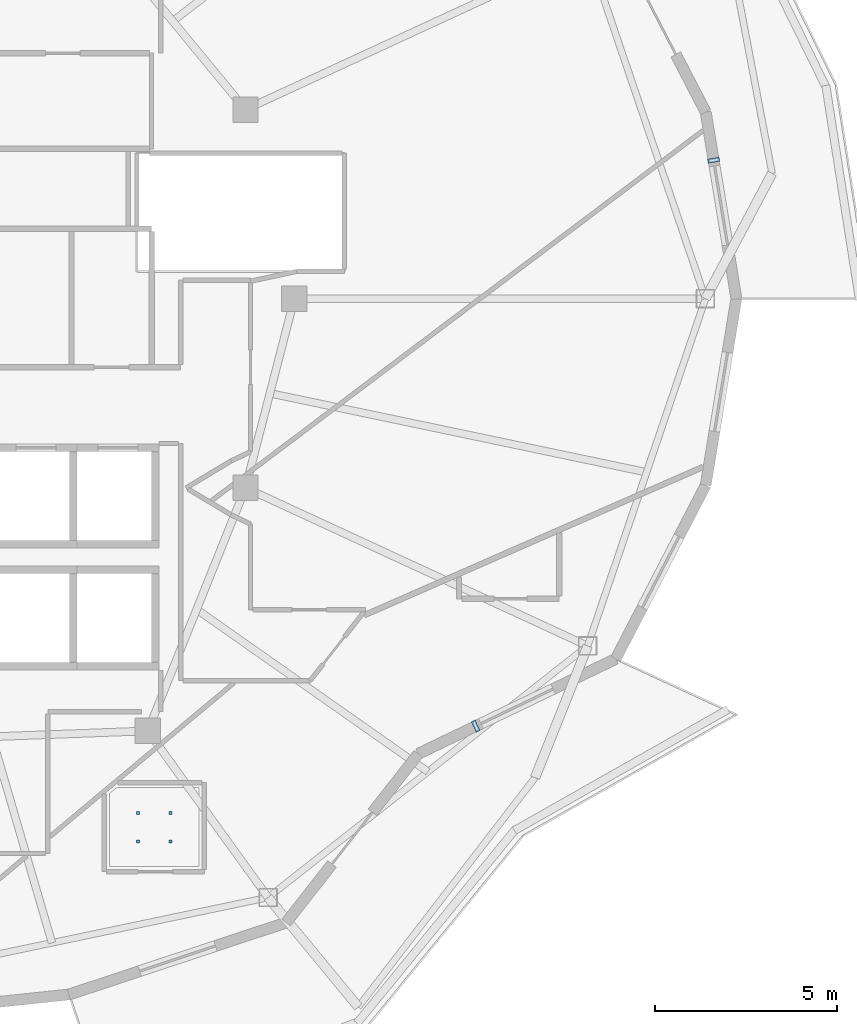
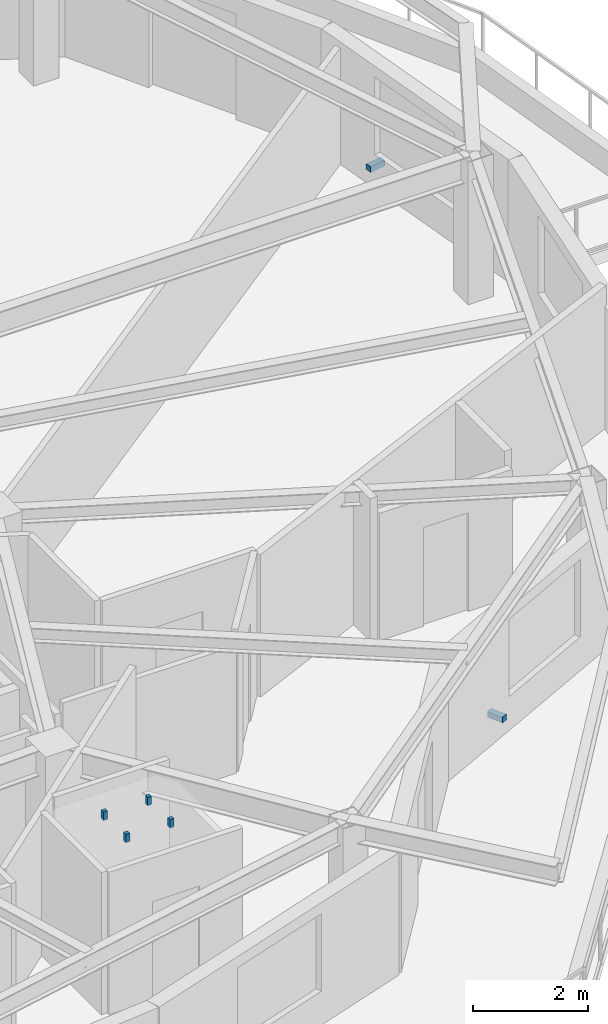
# One storey, part 8 of 13: 6 discrete accessories.
"""IFC4 building model written with IfcOpenShell, lengths in metres."""

from ifc_helpers import new_model, si_unit, direction, frame, origin, origin_2d, place, context, subcontext, project, spatial, rectangle, extrude, material, type_object, element, save


model = new_model("IFC4")

# Units and contexts
model_context = context("Model", 3, precision=1e-05, world=origin(), true_north=direction((0.0, 1.0)))
body_context = subcontext(model_context, "Body", "Model", "MODEL_VIEW")
ifc_project = project(units=[si_unit("LENGTHUNIT", "METRE"), si_unit("AREAUNIT", "SQUARE_METRE"), si_unit("VOLUMEUNIT", "CUBIC_METRE"), si_unit("PLANEANGLEUNIT", "RADIAN"), si_unit("MASSUNIT", "GRAM", prefix="KILO")], contexts=[model_context])

# Site, building, storey
site_placement = place(None, origin())
site = spatial("IfcSite", under=ifc_project, at=site_placement, CompositionType="ELEMENT")
building_placement = place(site_placement, origin())
building = spatial("IfcBuilding", under=site, at=building_placement, Name="Kolvaren Gate Tower and Convention Centre", CompositionType="ELEMENT")
storey_placement = place(building_placement, frame((0.0, 0.0, 196.39990234375)))
storey = spatial("IfcBuildingStorey", under=building, at=storey_placement, Name="L51", CompositionType="ELEMENT", Elevation=196.39990234375)

# Discrete accessories
ifc_material_1 = material(Name="Anodized Architectural Aluminium Alloy 6063-T6", Category="aluminium")
discrete_accessory_type_1 = type_object("IfcDiscreteAccessoryType", Name="ARCH-ACC-BRACKET-120", PredefinedType="BRACKET", material=ifc_material_1)
for number, where, z_axis, x_axis, name in (
    (1, (54.248779296875, 30.805419921875, 0.2900390625), (0.0, 0.0, 1.0), (0.162375401515, -0.986729055508, 0.0), "Ceramic Fin Wall Anchor Bracket FBK-L51-00"),
    (2, (47.7099609375, 15.25048828125, 0.2900390625), (0.0, 0.0, 1.0), (0.90135914581, 0.433072384555, 0.0), "Ceramic Fin Wall Anchor Bracket FBK-L51-21"),
):
    element("IfcDiscreteAccessory", number, at=place(storey_placement, frame(where, z_axis=z_axis, x_axis=x_axis)), inside=storey, type_object=discrete_accessory_type_1, Name=name, PredefinedType="BRACKET", context=body_context, shape_type="SweptSolid", body=[
        extrude(rectangle(XDim=0.1201171875, YDim=0.320068359375, at=origin_2d()), origin(), (0.0, 0.0, 1.0), 0.1201171875),
    ])
ifc_material_2 = material(Name="Brushed Stainless Steel Grade 316L", Category="steel")
discrete_accessory_type_2 = type_object("IfcDiscreteAccessoryType", Name="ARCH-ACC-HANGER-80", PredefinedType="BRACKET", material=ifc_material_2)
for number, where, z_axis, x_axis, name in (
    (3, (38.429931640625, 12.083984375, 2.85009765625), (0.0, 0.0, 1.0), (1.0, 0.0, 0.0), "Studio Fitted Kitchen (APT-L51-01) Ceiling Suspension Hanger Clip 1"),
    (4, (39.320068359375, 12.083984375, 2.85009765625), (0.0, 0.0, 1.0), (1.0, 0.0, 0.0), "Studio Fitted Kitchen (APT-L51-01) Ceiling Suspension Hanger Clip 2"),
    (5, (38.429931640625, 12.865966796875, 2.85009765625), (0.0, 0.0, 1.0), (1.0, 0.0, 0.0), "Studio Fitted Kitchen (APT-L51-01) Ceiling Suspension Hanger Clip 3"),
    (6, (39.320068359375, 12.865966796875, 2.85009765625), (0.0, 0.0, 1.0), (1.0, 0.0, 0.0), "Studio Fitted Kitchen (APT-L51-01) Ceiling Suspension Hanger Clip 4"),
):
    element("IfcDiscreteAccessory", number, at=place(storey_placement, frame(where, z_axis=z_axis, x_axis=x_axis)), inside=storey, type_object=discrete_accessory_type_2, Name=name, PredefinedType="BRACKET", context=body_context, shape_type="SweptSolid", body=[
        extrude(rectangle(XDim=0.080078125, YDim=0.080078125, at=origin_2d()), origin(), (0.0, 0.0, 1.0), 0.179931640625),
    ])

save(model, "model.ifc")
